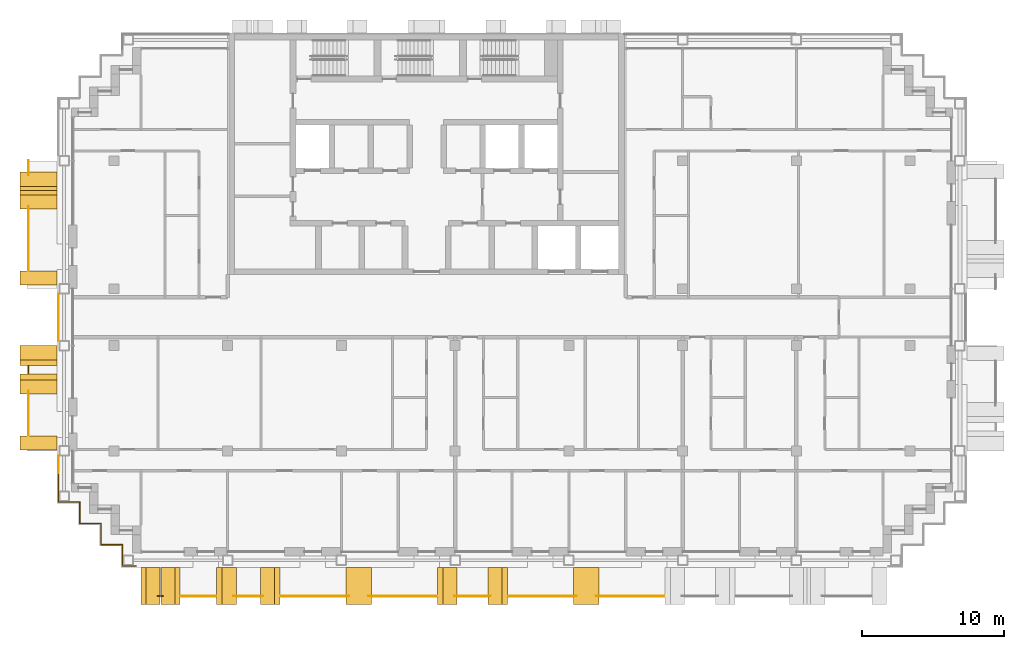
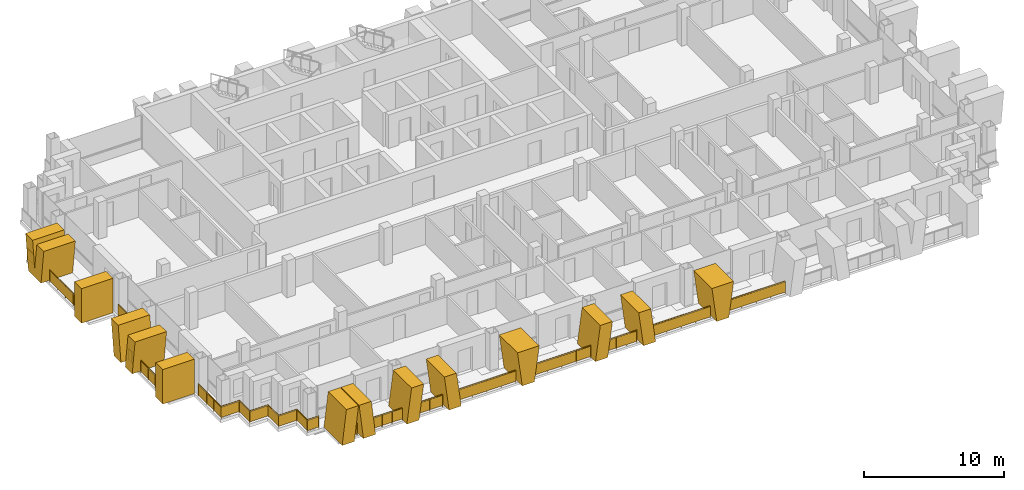
# One storey, part 13 of 16: 15 railings, 13 shading devices.
"""IFC4 building model written with IfcOpenShell, lengths in metres."""

from ifc_helpers import new_model, si_unit, direction, frame, origin, origin_2d, place, context, subcontext, project, spatial, polyline, rectangle, circle, outline, extrude, material, layer, layer_set, type_object, element, save


model = new_model("IFC4")

# Units and contexts
model_context = context("Model", 3, precision=1e-05, world=origin(), true_north=direction((0.0, 1.0)))
body_context = subcontext(model_context, "Body", "Model", "MODEL_VIEW")
ifc_project = project(units=[si_unit("LENGTHUNIT", "METRE"), si_unit("AREAUNIT", "SQUARE_METRE"), si_unit("VOLUMEUNIT", "CUBIC_METRE"), si_unit("PLANEANGLEUNIT", "RADIAN"), si_unit("MASSUNIT", "GRAM", prefix="KILO")], contexts=[model_context])

# Site, building, storey
site_placement = place(None, origin())
site = spatial("IfcSite", under=ifc_project, at=site_placement, CompositionType="ELEMENT")
building_placement = place(site_placement, origin())
building = spatial("IfcBuilding", under=site, at=building_placement, Name="Vidyagriha Tower", CompositionType="ELEMENT")
storey_placement = place(building_placement, frame((0.0, 0.0, 181.300048828125)))
storey = spatial("IfcBuildingStorey", under=building, at=storey_placement, Name="L47", CompositionType="ELEMENT", Elevation=181.300048828125)

# Railings
ifc_material_1 = material(Name="Steel ASTM A500 Grade C black painted", Category="steel")
railing_type_1 = type_object("IfcRailingType", Name="Balcony guard 1100", PredefinedType="BALUSTRADE", material=ifc_material_1)
railing_1_placement = place(storey_placement, frame((-28.0, 11.0, 0.0)))
element("IfcRailing", 1, at=railing_1_placement, inside=storey, type_object=railing_type_1, Name="Balcony guard L47 R16.1-1", PredefinedType="BALUSTRADE", context=body_context, shape_type="SweptSolid", body=[
    extrude(circle(Radius=0.02490234375, at=origin_2d()), frame((0.0, 0.0, 1.0751953125), z_axis=(0.0, -1.0, 0.0), x_axis=(1.0, 0.0, 0.0)), (0.0, 0.0, 1.0), 0.99658203125),
    extrude(circle(Radius=0.02001953125, at=origin_2d()), origin(), (0.0, 0.0, 1.0), 1.050048828125),
    extrude(circle(Radius=0.02001953125, at=origin_2d()), frame((0.0, -0.99658203125, 0.0)), (0.0, 0.0, 1.0), 1.050048828125),
    extrude(rectangle(XDim=0.010009765625, YDim=0.900146484375, at=origin_2d()), frame((0.0, 0.0, 0.550048828125), z_axis=(0.0, -1.0, 0.0), x_axis=(1.0, 0.0, 0.0)), (0.0, 0.0, 1.0), 0.99658203125),
])
railing_2_placement = place(storey_placement, frame((-28.0, 7.796630859375, 0.0)))
element("IfcRailing", 2, at=railing_2_placement, inside=storey, type_object=railing_type_1, Name="Balcony guard L47 R16.1-2", PredefinedType="BALUSTRADE", context=body_context, shape_type="SweptSolid", body=[
    extrude(circle(Radius=0.02490234375, at=origin_2d()), frame((0.0, 0.0, 1.0751953125), z_axis=(0.0, -1.0, 0.0), x_axis=(1.0, 0.0, 0.0)), (0.0, 0.0, 1.0), 4.49658203125),
    extrude(circle(Radius=0.02001953125, at=origin_2d()), origin(), (0.0, 0.0, 1.0), 1.050048828125),
    extrude(circle(Radius=0.02001953125, at=origin_2d()), frame((0.0, -1.1240234375, 0.0)), (0.0, 0.0, 1.0), 1.050048828125),
    extrude(circle(Radius=0.02001953125, at=origin_2d()), frame((0.0, -2.248291015625, 0.0)), (0.0, 0.0, 1.0), 1.050048828125),
    extrude(circle(Radius=0.02001953125, at=origin_2d()), frame((0.0, -3.37255859375, 0.0)), (0.0, 0.0, 1.0), 1.050048828125),
    extrude(circle(Radius=0.02001953125, at=origin_2d()), frame((0.0, -4.49658203125, 0.0)), (0.0, 0.0, 1.0), 1.050048828125),
    extrude(rectangle(XDim=0.010009765625, YDim=0.900146484375, at=origin_2d()), frame((0.0, 0.0, 0.550048828125), z_axis=(0.0, -1.0, 0.0), x_axis=(1.0, 0.0, 0.0)), (0.0, 0.0, 1.0), 4.49658203125),
])
railing_3_placement = place(storey_placement, frame((-28.0, -3.449951171875, 0.0)))
element("IfcRailing", 3, at=railing_3_placement, inside=storey, type_object=railing_type_1, Name="Balcony guard L47 R16.2-1", PredefinedType="BALUSTRADE", context=body_context, shape_type="SweptSolid", body=[
    extrude(circle(Radius=0.02490234375, at=origin_2d()), frame((0.0, 0.0, 1.0751953125), z_axis=(0.0, -1.0, 0.0), x_axis=(1.0, 0.0, 0.0)), (0.0, 0.0, 1.0), 0.5),
    extrude(circle(Radius=0.02001953125, at=origin_2d()), origin(), (0.0, 0.0, 1.0), 1.050048828125),
    extrude(circle(Radius=0.02001953125, at=origin_2d()), frame((0.0, -0.5, 0.0)), (0.0, 0.0, 1.0), 1.050048828125),
    extrude(rectangle(XDim=0.010009765625, YDim=0.900146484375, at=origin_2d()), frame((0.0, 0.0, 0.550048828125), z_axis=(0.0, -1.0, 0.0), x_axis=(1.0, 0.0, 0.0)), (0.0, 0.0, 1.0), 0.5),
])
railing_4_placement = place(storey_placement, frame((-28.0, -5.203369140625, 0.0)))
element("IfcRailing", 4, at=railing_4_placement, inside=storey, type_object=railing_type_1, Name="Balcony guard L47 R16.2-2", PredefinedType="BALUSTRADE", context=body_context, shape_type="SweptSolid", body=[
    extrude(circle(Radius=0.02490234375, at=origin_2d()), frame((0.0, 0.0, 1.0751953125), z_axis=(0.0, -1.0, 0.0), x_axis=(1.0, 0.0, 0.0)), (0.0, 0.0, 1.0), 3.0966796875),
    extrude(circle(Radius=0.02001953125, at=origin_2d()), origin(), (0.0, 0.0, 1.0), 1.050048828125),
    extrude(circle(Radius=0.02001953125, at=origin_2d()), frame((0.0, -1.0322265625, 0.0)), (0.0, 0.0, 1.0), 1.050048828125),
    extrude(circle(Radius=0.02001953125, at=origin_2d()), frame((0.0, -2.064453125, 0.0)), (0.0, 0.0, 1.0), 1.050048828125),
    extrude(circle(Radius=0.02001953125, at=origin_2d()), frame((0.0, -3.0966796875, 0.0)), (0.0, 0.0, 1.0), 1.050048828125),
    extrude(rectangle(XDim=0.010009765625, YDim=0.900146484375, at=origin_2d()), frame((0.0, 0.0, 0.550048828125), z_axis=(0.0, -1.0, 0.0), x_axis=(1.0, 0.0, 0.0)), (0.0, 0.0, 1.0), 3.0966796875),
])
railing_5_placement = place(storey_placement, frame((-18.915771484375, -19.60009765625, 0.0)))
element("IfcRailing", 5, at=railing_5_placement, inside=storey, type_object=railing_type_1, Name="Balcony guard L47 R23.1-1", PredefinedType="BALUSTRADE", context=body_context, shape_type="SweptSolid", body=[
    extrude(circle(Radius=0.02490234375, at=origin_2d()), frame((0.0, 0.0, 1.0751953125), z_axis=(1.0, 0.0, 0.0), x_axis=(0.0, 1.0, 0.0)), (0.0, 0.0, 1.0), 0.381591796875),
    extrude(circle(Radius=0.02001953125, at=origin_2d()), origin(), (0.0, 0.0, 1.0), 1.050048828125),
    extrude(circle(Radius=0.02001953125, at=origin_2d()), frame((0.381591796875, 0.0, 0.0)), (0.0, 0.0, 1.0), 1.050048828125),
    extrude(rectangle(XDim=0.010009765625, YDim=0.900146484375, at=origin_2d()), frame((0.0, 0.0, 0.550048828125), z_axis=(1.0, 0.0, 0.0), x_axis=(0.0, 1.0, 0.0)), (0.0, 0.0, 1.0), 0.381591796875),
])
railing_6_placement = place(storey_placement, frame((-17.300048828125, -19.60009765625, 0.0)))
element("IfcRailing", 6, at=railing_6_placement, inside=storey, type_object=railing_type_1, Name="Balcony guard L47 R23.1-2", PredefinedType="BALUSTRADE", context=body_context, shape_type="SweptSolid", body=[
    extrude(circle(Radius=0.02490234375, at=origin_2d()), frame((0.0, 0.0, 1.0751953125), z_axis=(1.0, 0.0, 0.0), x_axis=(0.0, 1.0, 0.0)), (0.0, 0.0, 1.0), 2.47509765625),
    extrude(circle(Radius=0.02001953125, at=origin_2d()), origin(), (0.0, 0.0, 1.0), 1.050048828125),
    extrude(circle(Radius=0.02001953125, at=origin_2d()), frame((0.824951171875, 0.0, 0.0)), (0.0, 0.0, 1.0), 1.050048828125),
    extrude(circle(Radius=0.02001953125, at=origin_2d()), frame((1.650146484375, 0.0, 0.0)), (0.0, 0.0, 1.0), 1.050048828125),
    extrude(circle(Radius=0.02001953125, at=origin_2d()), frame((2.47509765625, 0.0, 0.0)), (0.0, 0.0, 1.0), 1.050048828125),
    extrude(rectangle(XDim=0.010009765625, YDim=0.900146484375, at=origin_2d()), frame((0.0, 0.0, 0.550048828125), z_axis=(1.0, 0.0, 0.0), x_axis=(0.0, 1.0, 0.0)), (0.0, 0.0, 1.0), 2.47509765625),
])
railing_7_placement = place(storey_placement, frame((-13.576904296875, -19.60009765625, 0.0)))
element("IfcRailing", 7, at=railing_7_placement, inside=storey, type_object=railing_type_1, Name="Balcony guard L47 R23.1-3", PredefinedType="BALUSTRADE", context=body_context, shape_type="SweptSolid", body=[
    extrude(circle(Radius=0.02490234375, at=origin_2d()), frame((0.0, 0.0, 1.0751953125), z_axis=(1.0, 0.0, 0.0), x_axis=(0.0, 1.0, 0.0)), (0.0, 0.0, 1.0), 2.078857421875),
    extrude(circle(Radius=0.02001953125, at=origin_2d()), origin(), (0.0, 0.0, 1.0), 1.050048828125),
    extrude(circle(Radius=0.02001953125, at=origin_2d()), frame((1.03955078125, 0.0, 0.0)), (0.0, 0.0, 1.0), 1.050048828125),
    extrude(circle(Radius=0.02001953125, at=origin_2d()), frame((2.078857421875, 0.0, 0.0)), (0.0, 0.0, 1.0), 1.050048828125),
    extrude(rectangle(XDim=0.010009765625, YDim=0.900146484375, at=origin_2d()), frame((0.0, 0.0, 0.550048828125), z_axis=(1.0, 0.0, 0.0), x_axis=(0.0, 1.0, 0.0)), (0.0, 0.0, 1.0), 2.078857421875),
])
railing_8_placement = place(storey_placement, frame((-10.25, -19.60009765625, 0.0)))
element("IfcRailing", 8, at=railing_8_placement, inside=storey, type_object=railing_type_1, Name="Balcony guard L47 R23.1-4", PredefinedType="BALUSTRADE", context=body_context, shape_type="SweptSolid", body=[
    extrude(circle(Radius=0.02490234375, at=origin_2d()), frame((0.0, 0.0, 1.0751953125), z_axis=(1.0, 0.0, 0.0), x_axis=(0.0, 1.0, 0.0)), (0.0, 0.0, 1.0), 4.773681640625),
    extrude(circle(Radius=0.02001953125, at=origin_2d()), origin(), (0.0, 0.0, 1.0), 1.050048828125),
    extrude(circle(Radius=0.02001953125, at=origin_2d()), frame((1.193359375, 0.0, 0.0)), (0.0, 0.0, 1.0), 1.050048828125),
    extrude(circle(Radius=0.02001953125, at=origin_2d()), frame((2.38671875, 0.0, 0.0)), (0.0, 0.0, 1.0), 1.050048828125),
    extrude(circle(Radius=0.02001953125, at=origin_2d()), frame((3.580322265625, 0.0, 0.0)), (0.0, 0.0, 1.0), 1.050048828125),
    extrude(circle(Radius=0.02001953125, at=origin_2d()), frame((4.773681640625, 0.0, 0.0)), (0.0, 0.0, 1.0), 1.050048828125),
    extrude(rectangle(XDim=0.010009765625, YDim=0.900146484375, at=origin_2d()), frame((0.0, 0.0, 0.550048828125), z_axis=(1.0, 0.0, 0.0), x_axis=(0.0, 1.0, 0.0)), (0.0, 0.0, 1.0), 4.773681640625),
])
railing_9_placement = place(storey_placement, frame((-4.073486328125, -19.60009765625, 0.0)))
element("IfcRailing", 9, at=railing_9_placement, inside=storey, type_object=railing_type_1, Name="Balcony guard L47 R23.1-5", PredefinedType="BALUSTRADE", context=body_context, shape_type="SweptSolid", body=[
    extrude(circle(Radius=0.02490234375, at=origin_2d()), frame((0.0, 0.0, 1.0751953125), z_axis=(1.0, 0.0, 0.0), x_axis=(0.0, 1.0, 0.0)), (0.0, 0.0, 1.0), 4.7734375),
    extrude(circle(Radius=0.02001953125, at=origin_2d()), origin(), (0.0, 0.0, 1.0), 1.050048828125),
    extrude(circle(Radius=0.02001953125, at=origin_2d()), frame((1.193359375, 0.0, 0.0)), (0.0, 0.0, 1.0), 1.050048828125),
    extrude(circle(Radius=0.02001953125, at=origin_2d()), frame((2.38671875, 0.0, 0.0)), (0.0, 0.0, 1.0), 1.050048828125),
    extrude(circle(Radius=0.02001953125, at=origin_2d()), frame((3.580078125, 0.0, 0.0)), (0.0, 0.0, 1.0), 1.050048828125),
    extrude(circle(Radius=0.02001953125, at=origin_2d()), frame((4.7734375, 0.0, 0.0)), (0.0, 0.0, 1.0), 1.050048828125),
    extrude(rectangle(XDim=0.010009765625, YDim=0.900146484375, at=origin_2d()), frame((0.0, 0.0, 0.550048828125), z_axis=(1.0, 0.0, 0.0), x_axis=(0.0, 1.0, 0.0)), (0.0, 0.0, 1.0), 4.7734375),
])
railing_10_placement = place(storey_placement, frame((1.951416015625, -19.60009765625, 0.0)))
element("IfcRailing", 10, at=railing_10_placement, inside=storey, type_object=railing_type_1, Name="Balcony guard L47 R23.1-6", PredefinedType="BALUSTRADE", context=body_context, shape_type="SweptSolid", body=[
    extrude(circle(Radius=0.02490234375, at=origin_2d()), frame((0.0, 0.0, 1.0751953125), z_axis=(1.0, 0.0, 0.0), x_axis=(0.0, 1.0, 0.0)), (0.0, 0.0, 1.0), 2.547119140625),
    extrude(circle(Radius=0.02001953125, at=origin_2d()), origin(), (0.0, 0.0, 1.0), 1.050048828125),
    extrude(circle(Radius=0.02001953125, at=origin_2d()), frame((0.84912109375, 0.0, 0.0)), (0.0, 0.0, 1.0), 1.050048828125),
    extrude(circle(Radius=0.02001953125, at=origin_2d()), frame((1.697998046875, 0.0, 0.0)), (0.0, 0.0, 1.0), 1.050048828125),
    extrude(circle(Radius=0.02001953125, at=origin_2d()), frame((2.547119140625, 0.0, 0.0)), (0.0, 0.0, 1.0), 1.050048828125),
    extrude(rectangle(XDim=0.010009765625, YDim=0.900146484375, at=origin_2d()), frame((0.0, 0.0, 0.550048828125), z_axis=(1.0, 0.0, 0.0), x_axis=(0.0, 1.0, 0.0)), (0.0, 0.0, 1.0), 2.547119140625),
])
railing_11_placement = place(storey_placement, frame((5.75, -19.60009765625, 0.0)))
element("IfcRailing", 11, at=railing_11_placement, inside=storey, type_object=railing_type_1, Name="Balcony guard L47 R23.1-7", PredefinedType="BALUSTRADE", context=body_context, shape_type="SweptSolid", body=[
    extrude(circle(Radius=0.02490234375, at=origin_2d()), frame((0.0, 0.0, 1.0751953125), z_axis=(1.0, 0.0, 0.0), x_axis=(0.0, 1.0, 0.0)), (0.0, 0.0, 1.0), 4.773681640625),
    extrude(circle(Radius=0.02001953125, at=origin_2d()), origin(), (0.0, 0.0, 1.0), 1.050048828125),
    extrude(circle(Radius=0.02001953125, at=origin_2d()), frame((1.193359375, 0.0, 0.0)), (0.0, 0.0, 1.0), 1.050048828125),
    extrude(circle(Radius=0.02001953125, at=origin_2d()), frame((2.38671875, 0.0, 0.0)), (0.0, 0.0, 1.0), 1.050048828125),
    extrude(circle(Radius=0.02001953125, at=origin_2d()), frame((3.580322265625, 0.0, 0.0)), (0.0, 0.0, 1.0), 1.050048828125),
    extrude(circle(Radius=0.02001953125, at=origin_2d()), frame((4.773681640625, 0.0, 0.0)), (0.0, 0.0, 1.0), 1.050048828125),
    extrude(rectangle(XDim=0.010009765625, YDim=0.900146484375, at=origin_2d()), frame((0.0, 0.0, 0.550048828125), z_axis=(1.0, 0.0, 0.0), x_axis=(0.0, 1.0, 0.0)), (0.0, 0.0, 1.0), 4.773681640625),
])
railing_12_placement = place(storey_placement, frame((11.926513671875, -19.60009765625, 0.0)))
element("IfcRailing", 12, at=railing_12_placement, inside=storey, type_object=railing_type_1, Name="Balcony guard L47 R23.1-8", PredefinedType="BALUSTRADE", context=body_context, shape_type="SweptSolid", body=[
    extrude(circle(Radius=0.02490234375, at=origin_2d()), frame((0.0, 0.0, 1.0751953125), z_axis=(1.0, 0.0, 0.0), x_axis=(0.0, 1.0, 0.0)), (0.0, 0.0, 1.0), 4.7734375),
    extrude(circle(Radius=0.02001953125, at=origin_2d()), origin(), (0.0, 0.0, 1.0), 1.050048828125),
    extrude(circle(Radius=0.02001953125, at=origin_2d()), frame((1.193359375, 0.0, 0.0)), (0.0, 0.0, 1.0), 1.050048828125),
    extrude(circle(Radius=0.02001953125, at=origin_2d()), frame((2.38671875, 0.0, 0.0)), (0.0, 0.0, 1.0), 1.050048828125),
    extrude(circle(Radius=0.02001953125, at=origin_2d()), frame((3.580078125, 0.0, 0.0)), (0.0, 0.0, 1.0), 1.050048828125),
    extrude(circle(Radius=0.02001953125, at=origin_2d()), frame((4.7734375, 0.0, 0.0)), (0.0, 0.0, 1.0), 1.050048828125),
    extrude(rectangle(XDim=0.010009765625, YDim=0.900146484375, at=origin_2d()), frame((0.0, 0.0, 0.550048828125), z_axis=(1.0, 0.0, 0.0), x_axis=(0.0, 1.0, 0.0)), (0.0, 0.0, 1.0), 4.7734375),
])

# Shading devices
ifc_material_2 = material(Name="Precast concrete C40/50 with buff brick facing", Category="concrete")
ifc_layer_1 = layer(ifc_material_2, 1.0)
ifc_layer_set_1 = layer_set([ifc_layer_1], Name="Precast concrete C40/50 with buff brick facing")
shading_device_type_1 = type_object("IfcShadingDeviceType", Name="Brick-faced blade fin arm leaning 8 degrees", PredefinedType="USERDEFINED", material=ifc_layer_set_1)
shading_device_1_placement = place(storey_placement, frame((-27.300048828125, -4.0, 0.0), z_axis=(0.0, 0.0, 1.0), x_axis=(0.0, -1.0, 0.0)))
element("IfcShadingDevice", 13, at=shading_device_1_placement, inside=storey, type_object=shading_device_type_1, Name="Leaning blade fin L47 R16.1610a", ObjectType="BLADE FIN", PredefinedType="USERDEFINED", context=body_context, shape_type="SweptSolid", body=[
    extrude(outline(polyline([(0.0, 0.0), (1.0, 0.0), (1.39990234375, 3.0), (0.39990234375, 3.0), (0.0, 0.0)])), frame((0.0, 1.300048828125, 0.0), z_axis=(0.0, -1.0, 0.0), x_axis=(1.0, 0.0, 0.0)), (0.0, 0.0, 1.0), 2.60009765625),
])
shading_device_2_placement = place(storey_placement, frame((-27.300048828125, -2.0, 0.0), z_axis=(0.0, 0.0, 1.0), x_axis=(0.0, -1.0, 0.0)))
element("IfcShadingDevice", 14, at=shading_device_2_placement, inside=storey, type_object=shading_device_type_1, Name="Leaning blade fin L47 R16.1610b", ObjectType="BLADE FIN", PredefinedType="USERDEFINED", context=body_context, shape_type="SweptSolid", body=[
    extrude(outline(polyline([(0.39990234375, 0.0), (1.39990234375, 0.0), (1.0, 3.0), (0.0, 3.0), (0.39990234375, 0.0)])), frame((0.0, 1.300048828125, 0.0), z_axis=(0.0, -1.0, 0.0), x_axis=(1.0, 0.0, 0.0)), (0.0, 0.0, 1.0), 2.60009765625),
])
shading_device_3_placement = place(storey_placement, frame((-18.699951171875, -18.89990234375, 0.0)))
element("IfcShadingDevice", 15, at=shading_device_3_placement, inside=storey, type_object=shading_device_type_1, Name="Leaning blade fin L47 R23.0a", ObjectType="BLADE FIN", PredefinedType="USERDEFINED", context=body_context, shape_type="SweptSolid", body=[
    extrude(outline(polyline([(0.35009765625, 0.0), (1.35009765625, 0.0), (1.0, 3.0), (0.0, 3.0), (0.35009765625, 0.0)])), frame((0.0, 1.300048828125, 0.0), z_axis=(0.0, -1.0, 0.0), x_axis=(1.0, 0.0, 0.0)), (0.0, 0.0, 1.0), 2.60009765625),
])
shading_device_4_placement = place(storey_placement, frame((-20.10009765625, -18.89990234375, 0.0)))
element("IfcShadingDevice", 16, at=shading_device_4_placement, inside=storey, type_object=shading_device_type_1, Name="Leaning blade fin L47 R23.0b", ObjectType="BLADE FIN", PredefinedType="USERDEFINED", context=body_context, shape_type="SweptSolid", body=[
    extrude(outline(polyline([(0.0, 0.0), (1.0, 0.0), (1.35009765625, 3.0), (0.35009765625, 3.0), (0.0, 0.0)])), frame((0.0, 1.300048828125, 0.0), z_axis=(0.0, -1.0, 0.0), x_axis=(1.0, 0.0, 0.0)), (0.0, 0.0, 1.0), 2.60009765625),
])
shading_device_5_placement = place(storey_placement, frame((-11.68603515625, -18.89990234375, 0.0)))
element("IfcShadingDevice", 17, at=shading_device_5_placement, inside=storey, type_object=shading_device_type_1, Name="Leaning blade fin L47 R23.610a", ObjectType="BLADE FIN", PredefinedType="USERDEFINED", context=body_context, shape_type="SweptSolid", body=[
    extrude(outline(polyline([(0.385986328125, 0.0), (1.385986328125, 0.0), (1.0, 3.0), (0.0, 3.0), (0.385986328125, 0.0)])), frame((0.0, 1.300048828125, 0.0), z_axis=(0.0, -1.0, 0.0), x_axis=(1.0, 0.0, 0.0)), (0.0, 0.0, 1.0), 2.60009765625),
])
shading_device_6_placement = place(storey_placement, frame((-14.77490234375, -18.89990234375, 0.0)))
element("IfcShadingDevice", 18, at=shading_device_6_placement, inside=storey, type_object=shading_device_type_1, Name="Leaning blade fin L47 R23.610b", ObjectType="BLADE FIN", PredefinedType="USERDEFINED", context=body_context, shape_type="SweptSolid", body=[
    extrude(outline(polyline([(0.0, 0.0), (1.0, 0.0), (1.385986328125, 3.0), (0.385986328125, 3.0), (0.0, 0.0)])), frame((0.0, 1.300048828125, 0.0), z_axis=(0.0, -1.0, 0.0), x_axis=(1.0, 0.0, 0.0)), (0.0, 0.0, 1.0), 2.60009765625),
])
shading_device_7_placement = place(storey_placement, frame((4.304931640625, -18.89990234375, 0.0)))
element("IfcShadingDevice", 19, at=shading_device_7_placement, inside=storey, type_object=shading_device_type_1, Name="Leaning blade fin L47 R23.2210a", ObjectType="BLADE FIN", PredefinedType="USERDEFINED", context=body_context, shape_type="SweptSolid", body=[
    extrude(outline(polyline([(0.39501953125, 0.0), (1.39501953125, 0.0), (1.0, 3.0), (0.0, 3.0), (0.39501953125, 0.0)])), frame((0.0, 1.300048828125, 0.0), z_axis=(0.0, -1.0, 0.0), x_axis=(1.0, 0.0, 0.0)), (0.0, 0.0, 1.0), 2.60009765625),
])
shading_device_8_placement = place(storey_placement, frame((0.75, -18.89990234375, 0.0)))
element("IfcShadingDevice", 20, at=shading_device_8_placement, inside=storey, type_object=shading_device_type_1, Name="Leaning blade fin L47 R23.2210b", ObjectType="BLADE FIN", PredefinedType="USERDEFINED", context=body_context, shape_type="SweptSolid", body=[
    extrude(outline(polyline([(0.0, 0.0), (1.0, 0.0), (1.39501953125, 3.0), (0.39501953125, 3.0), (0.0, 0.0)])), frame((0.0, 1.300048828125, 0.0), z_axis=(0.0, -1.0, 0.0), x_axis=(1.0, 0.0, 0.0)), (0.0, 0.0, 1.0), 2.60009765625),
])
ifc_material_3 = material(Name="Precast concrete C40/50 with buff brick facing", Category="concrete")
ifc_layer_2 = layer(ifc_material_3, 1.0)
ifc_layer_set_2 = layer_set([ifc_layer_2], Name="Precast concrete C40/50 with buff brick facing")
shading_device_type_2 = type_object("IfcShadingDeviceType", Name="Brick-faced blade fin forking 8 degrees", PredefinedType="USERDEFINED", material=ifc_layer_set_2)
shading_device_9_placement = place(storey_placement, frame((-27.300048828125, 10.199951171875, 0.0), z_axis=(0.0, 0.0, 1.0), x_axis=(0.0, -1.0, 0.0)))
element("IfcShadingDevice", 21, at=shading_device_9_placement, inside=storey, type_object=shading_device_type_2, Name="Forked blade fin L47 R16.310a", ObjectType="BLADE FIN", PredefinedType="USERDEFINED", context=body_context, shape_type="SweptSolid", body=[
    extrude(outline(polyline([(0.39990234375, 0.0), (2.199951171875, 0.0), (2.60009765625, 3.0), (1.60009765625, 3.0), (1.300048828125, 0.75), (1.0, 3.0), (0.0, 3.0), (0.39990234375, 0.0)])), frame((0.0, 1.300048828125, 0.0), z_axis=(0.0, -1.0, 0.0), x_axis=(1.0, 0.0, 0.0)), (0.0, 0.0, 1.0), 2.60009765625),
])
for number, where, name in (
    (22, (-5.669921875, -18.89990234375, 0.0), "Forked blade fin L47 R23.1410a"),
    (23, (10.330078125, -18.89990234375, 0.0), "Forked blade fin L47 R23.3010a"),
):
    element("IfcShadingDevice", number, at=place(storey_placement, frame(where)), inside=storey, type_object=shading_device_type_2, Name=name, ObjectType="BLADE FIN", PredefinedType="USERDEFINED", context=body_context, shape_type="SweptSolid", body=[
        extrude(outline(polyline([(0.39501953125, 0.0), (1.39501953125, 0.0), (1.7900390625, 3.0), (0.0, 3.0), (0.39501953125, 0.0)])), frame((0.0, 1.300048828125, 0.0), z_axis=(0.0, -1.0, 0.0), x_axis=(1.0, 0.0, 0.0)), (0.0, 0.0, 1.0), 2.60009765625),
    ])
ifc_material_4 = material(Name="Precast concrete C40/50 with buff brick facing", Category="concrete")
ifc_layer_3 = layer(ifc_material_4, 1.0)
ifc_layer_set_3 = layer_set([ifc_layer_3], Name="Precast concrete C40/50 with buff brick facing")
shading_device_type_3 = type_object("IfcShadingDeviceType", Name="Brick-faced blade fin stem 1000", PredefinedType="USERDEFINED", material=ifc_layer_set_3)
for number, where, z_axis, x_axis, name in (
    (24, (-27.300048828125, 3.25, 0.0), (0.0, 0.0, 1.0), (0.0, -1.0, 0.0), "Stem blade fin L47 R16.1210a"),
    (25, (-27.300048828125, -8.35009765625, 0.0), (0.0, 0.0, 1.0), (0.0, -1.0, 0.0), "Stem blade fin L47 R16.2350a"),
):
    element("IfcShadingDevice", number, at=place(storey_placement, frame(where, z_axis=z_axis, x_axis=x_axis)), inside=storey, type_object=shading_device_type_3, Name=name, ObjectType="BLADE FIN", PredefinedType="USERDEFINED", context=body_context, shape_type="SweptSolid", body=[
        extrude(outline(polyline([(0.0, 0.0), (1.0, 0.0), (1.0, 3.0), (0.0, 3.0), (0.0, 0.0)])), frame((0.0, 1.300048828125, 0.0), z_axis=(0.0, -1.0, 0.0), x_axis=(1.0, 0.0, 0.0)), (0.0, 0.0, 1.0), 2.60009765625),
    ])

# Railings
ifc_material_5 = material(Name="Steel ASTM A500 Grade C black painted", Category="steel")
railing_type_2 = type_object("IfcRailingType", Name="Gallery guard 1100", PredefinedType="GUARDRAIL", material=ifc_material_5)
railing_13_placement = place(storey_placement, frame((-20.4599609375, -17.5, 0.0)))
element("IfcRailing", 26, at=railing_13_placement, inside=storey, type_object=railing_type_2, Name="Gallery guard L47 1", PredefinedType="GUARDRAIL", context=body_context, shape_type="SweptSolid", body=[
    extrude(circle(Radius=0.02490234375, at=origin_2d()), frame((0.0, 0.0, 1.0751953125), z_axis=(-1.0, 0.0, 0.0), x_axis=(0.0, -1.0, 0.0)), (0.0, 0.0, 1.0), 0.93994140625),
    extrude(circle(Radius=0.02490234375, at=origin_2d()), frame((-0.93994140625, 0.0, 1.0751953125), z_axis=(0.0, 1.0, 0.0), x_axis=(-1.0, 0.0, 0.0)), (0.0, 0.0, 1.0), 1.5),
    extrude(circle(Radius=0.02490234375, at=origin_2d()), frame((-0.93994140625, 1.5, 1.0751953125), z_axis=(-1.0, 0.0, 0.0), x_axis=(0.0, -1.0, 0.0)), (0.0, 0.0, 1.0), 1.5),
    extrude(circle(Radius=0.02490234375, at=origin_2d()), frame((-2.43994140625, 1.5, 1.0751953125), z_axis=(0.0, 1.0, 0.0), x_axis=(-1.0, 0.0, 0.0)), (0.0, 0.0, 1.0), 1.5),
    extrude(circle(Radius=0.02490234375, at=origin_2d()), frame((-2.43994140625, 3.0, 1.0751953125), z_axis=(-1.0, 0.0, 0.0), x_axis=(0.0, -1.0, 0.0)), (0.0, 0.0, 1.0), 1.5),
    extrude(circle(Radius=0.02490234375, at=origin_2d()), frame((-3.93994140625, 3.0, 1.0751953125), z_axis=(0.0, 1.0, 0.0), x_axis=(-1.0, 0.0, 0.0)), (0.0, 0.0, 1.0), 1.5),
    extrude(circle(Radius=0.02490234375, at=origin_2d()), frame((-3.93994140625, 4.5, 1.0751953125), z_axis=(-1.0, 0.0, 0.0), x_axis=(0.0, -1.0, 0.0)), (0.0, 0.0, 1.0), 1.5),
    extrude(circle(Radius=0.02490234375, at=origin_2d()), frame((-5.43994140625, 4.5, 1.0751953125), z_axis=(0.0, 1.0, 0.0), x_axis=(-1.0, 0.0, 0.0)), (0.0, 0.0, 1.0), 2.06005859375),
    extrude(circle(Radius=0.02001953125, at=origin_2d()), origin(), (0.0, 0.0, 1.0), 1.050048828125),
    extrude(circle(Radius=0.02001953125, at=origin_2d()), frame((-0.93994140625, 0.0, 0.0)), (0.0, 0.0, 1.0), 1.050048828125),
    extrude(circle(Radius=0.02001953125, at=origin_2d()), frame((-0.93994140625, 1.5, 0.0)), (0.0, 0.0, 1.0), 1.050048828125),
    extrude(circle(Radius=0.02001953125, at=origin_2d()), frame((-2.43994140625, 1.5, 0.0)), (0.0, 0.0, 1.0), 1.050048828125),
    extrude(circle(Radius=0.02001953125, at=origin_2d()), frame((-2.43994140625, 3.0, 0.0)), (0.0, 0.0, 1.0), 1.050048828125),
    extrude(circle(Radius=0.02001953125, at=origin_2d()), frame((-3.93994140625, 3.0, 0.0)), (0.0, 0.0, 1.0), 1.050048828125),
    extrude(circle(Radius=0.02001953125, at=origin_2d()), frame((-3.93994140625, 4.5, 0.0)), (0.0, 0.0, 1.0), 1.050048828125),
    extrude(circle(Radius=0.02001953125, at=origin_2d()), frame((-5.43994140625, 4.5, 0.0)), (0.0, 0.0, 1.0), 1.050048828125),
    extrude(circle(Radius=0.02001953125, at=origin_2d()), frame((-5.43994140625, 5.530029296875, 0.0)), (0.0, 0.0, 1.0), 1.050048828125),
    extrude(circle(Radius=0.02001953125, at=origin_2d()), frame((-5.43994140625, 6.56005859375, 0.0)), (0.0, 0.0, 1.0), 1.050048828125),
    extrude(rectangle(XDim=0.010009765625, YDim=0.900146484375, at=origin_2d()), frame((0.0, 0.0, 0.550048828125), z_axis=(-1.0, 0.0, 0.0), x_axis=(0.0, -1.0, 0.0)), (0.0, 0.0, 1.0), 0.93994140625),
    extrude(rectangle(XDim=0.010009765625, YDim=0.900146484375, at=origin_2d()), frame((-0.93994140625, 0.0, 0.550048828125), z_axis=(0.0, 1.0, 0.0), x_axis=(-1.0, 0.0, 0.0)), (0.0, 0.0, 1.0), 1.5),
    extrude(rectangle(XDim=0.010009765625, YDim=0.900146484375, at=origin_2d()), frame((-0.93994140625, 1.5, 0.550048828125), z_axis=(-1.0, 0.0, 0.0), x_axis=(0.0, -1.0, 0.0)), (0.0, 0.0, 1.0), 1.5),
    extrude(rectangle(XDim=0.010009765625, YDim=0.900146484375, at=origin_2d()), frame((-2.43994140625, 1.5, 0.550048828125), z_axis=(0.0, 1.0, 0.0), x_axis=(-1.0, 0.0, 0.0)), (0.0, 0.0, 1.0), 1.5),
    extrude(rectangle(XDim=0.010009765625, YDim=0.900146484375, at=origin_2d()), frame((-2.43994140625, 3.0, 0.550048828125), z_axis=(-1.0, 0.0, 0.0), x_axis=(0.0, -1.0, 0.0)), (0.0, 0.0, 1.0), 1.5),
    extrude(rectangle(XDim=0.010009765625, YDim=0.900146484375, at=origin_2d()), frame((-3.93994140625, 3.0, 0.550048828125), z_axis=(0.0, 1.0, 0.0), x_axis=(-1.0, 0.0, 0.0)), (0.0, 0.0, 1.0), 1.5),
    extrude(rectangle(XDim=0.010009765625, YDim=0.900146484375, at=origin_2d()), frame((-3.93994140625, 4.5, 0.550048828125), z_axis=(-1.0, 0.0, 0.0), x_axis=(0.0, -1.0, 0.0)), (0.0, 0.0, 1.0), 1.5),
    extrude(rectangle(XDim=0.010009765625, YDim=0.900146484375, at=origin_2d()), frame((-5.43994140625, 4.5, 0.550048828125), z_axis=(0.0, 1.0, 0.0), x_axis=(-1.0, 0.0, 0.0)), (0.0, 0.0, 1.0), 2.06005859375),
])
railing_14_placement = place(storey_placement, frame((-25.89990234375, -10.93994140625, 0.0)))
element("IfcRailing", 27, at=railing_14_placement, inside=storey, type_object=railing_type_2, Name="Gallery guard L47 2", PredefinedType="GUARDRAIL", context=body_context, shape_type="SweptSolid", body=[
    extrude(circle(Radius=0.02490234375, at=origin_2d()), frame((0.0, 0.0, 1.0751953125), z_axis=(0.0, 1.0, 0.0), x_axis=(-1.0, 0.0, 0.0)), (0.0, 0.0, 1.0), 1.179931640625),
    extrude(circle(Radius=0.02001953125, at=origin_2d()), origin(), (0.0, 0.0, 1.0), 1.050048828125),
    extrude(circle(Radius=0.02001953125, at=origin_2d()), frame((0.0, 1.179931640625, 0.0)), (0.0, 0.0, 1.0), 1.050048828125),
    extrude(rectangle(XDim=0.010009765625, YDim=0.900146484375, at=origin_2d()), frame((0.0, 0.0, 0.550048828125), z_axis=(0.0, 1.0, 0.0), x_axis=(-1.0, 0.0, 0.0)), (0.0, 0.0, 1.0), 1.179931640625),
])
railing_15_placement = place(storey_placement, frame((-25.89990234375, -1.639892578125, 0.0)))
element("IfcRailing", 28, at=railing_15_placement, inside=storey, type_object=railing_type_2, Name="Gallery guard L47 3", PredefinedType="GUARDRAIL", context=body_context, shape_type="SweptSolid", body=[
    extrude(circle(Radius=0.02490234375, at=origin_2d()), frame((0.0, 0.0, 1.0751953125), z_axis=(0.0, 1.0, 0.0), x_axis=(-1.0, 0.0, 0.0)), (0.0, 0.0, 1.0), 3.27978515625),
    extrude(circle(Radius=0.02001953125, at=origin_2d()), origin(), (0.0, 0.0, 1.0), 1.050048828125),
    extrude(circle(Radius=0.02001953125, at=origin_2d()), frame((0.0, 1.09326171875, 0.0)), (0.0, 0.0, 1.0), 1.050048828125),
    extrude(circle(Radius=0.02001953125, at=origin_2d()), frame((0.0, 2.1865234375, 0.0)), (0.0, 0.0, 1.0), 1.050048828125),
    extrude(circle(Radius=0.02001953125, at=origin_2d()), frame((0.0, 3.27978515625, 0.0)), (0.0, 0.0, 1.0), 1.050048828125),
    extrude(rectangle(XDim=0.010009765625, YDim=0.900146484375, at=origin_2d()), frame((0.0, 0.0, 0.550048828125), z_axis=(0.0, 1.0, 0.0), x_axis=(-1.0, 0.0, 0.0)), (0.0, 0.0, 1.0), 3.27978515625),
])

save(model, "model.ifc")
